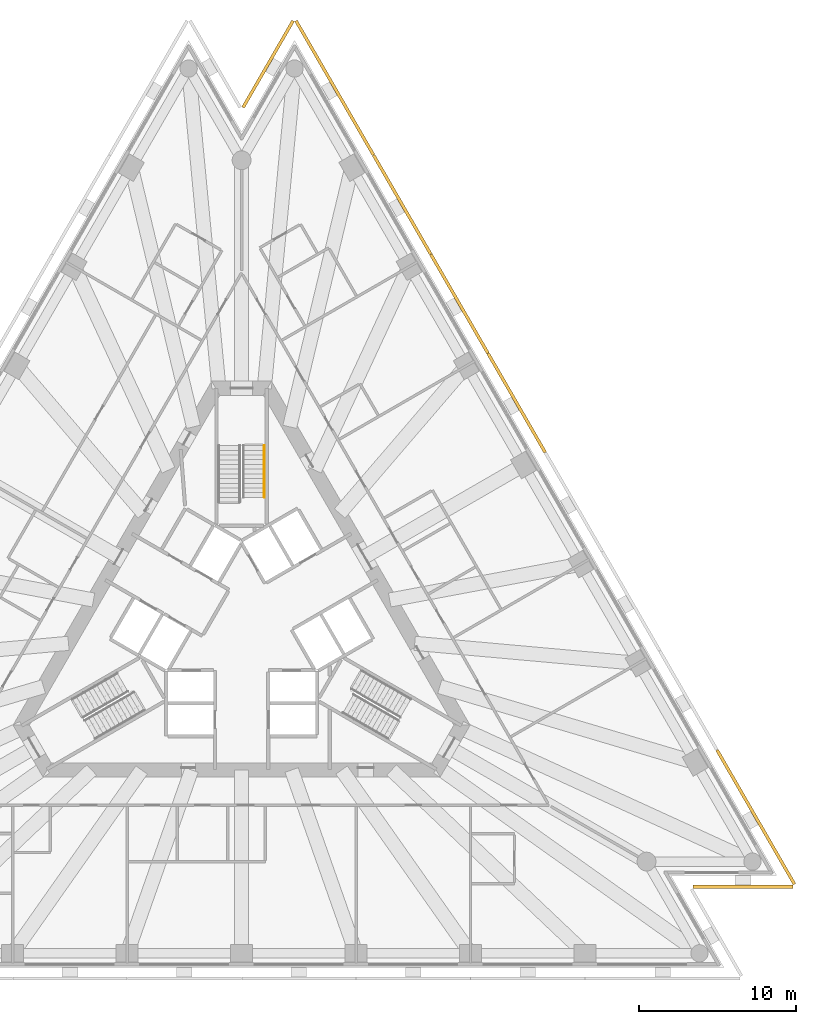
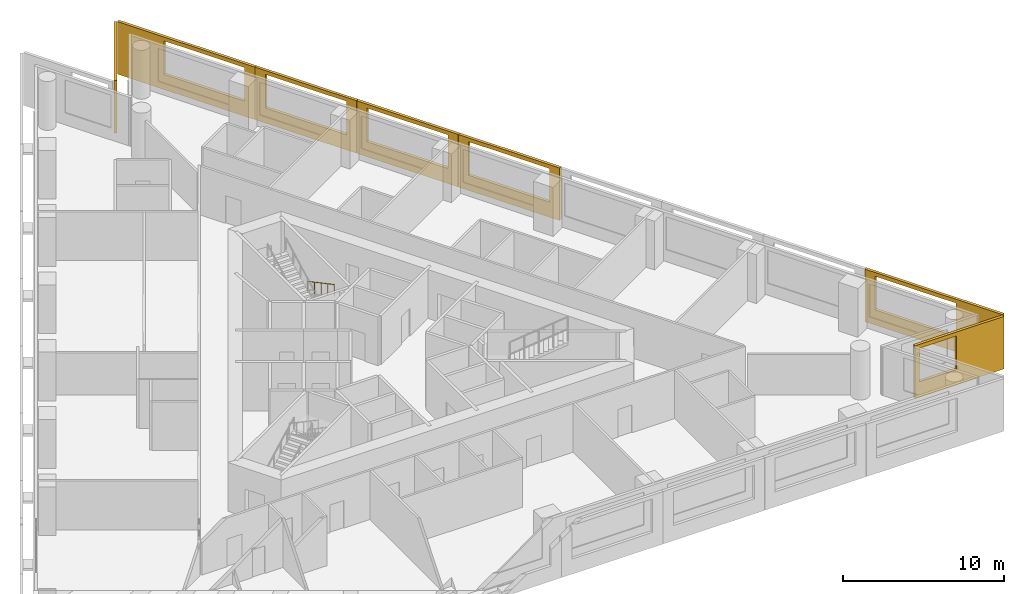
# One storey, part 11 of 11: 7 shading devices, 1 railing, 1 element without a shape of its own.
"""IFC4 building model written with IfcOpenShell, lengths in metres."""

from ifc_helpers import new_model, si_unit, direction, frame, origin, origin_2d, place, context, subcontext, project, spatial, polyline, circle, outline, extrude, material, layer, layer_set, type_object, element, aggregate, save


model = new_model("IFC4")

# Units and contexts
model_context = context("Model", 3, precision=1e-05, world=origin(), true_north=direction((0.0, 1.0)))
body_context = subcontext(model_context, "Body", "Model", "MODEL_VIEW")
ifc_project = project(units=[si_unit("LENGTHUNIT", "METRE"), si_unit("AREAUNIT", "SQUARE_METRE"), si_unit("VOLUMEUNIT", "CUBIC_METRE"), si_unit("PLANEANGLEUNIT", "RADIAN"), si_unit("MASSUNIT", "GRAM", prefix="KILO")], contexts=[model_context])

# Site, building, storey
site_placement = place(None, origin())
site = spatial("IfcSite", under=ifc_project, at=site_placement, CompositionType="ELEMENT")
building_placement = place(site_placement, origin())
building = spatial("IfcBuilding", under=site, at=building_placement, Name="Triada Interchange Tower", CompositionType="ELEMENT")
storey_placement = place(building_placement, frame((0.0, 0.0, 71.300048828125)))
storey = spatial("IfcBuildingStorey", under=building, at=storey_placement, Name="L15", CompositionType="ELEMENT", Elevation=71.300048828125)

# Shading devices
ifc_material_1 = material(Name="Concrete C50/60 precast", Category="concrete")
ifc_layer_1 = layer(ifc_material_1, 0.02001953125, Name="Exposed aggregate face")
ifc_layer_2 = layer(ifc_material_1, 0.179931640625, Name="Precast concrete screen")
ifc_layer_set = layer_set([ifc_layer_1, ifc_layer_2], Name="Outer skin screen panel 3980")
shading_device_type = type_object("IfcShadingDeviceType", Name="Outer skin screen panel 3980", PredefinedType="SHUTTER", material=ifc_layer_set)
shading_device_1_placement = place(storey_placement, frame((28.735107421875, -16.384033203125, -0.2900390625), z_axis=(0.0, 0.0, 1.0), x_axis=(1.0, 0.0, 0.0)))
element("IfcShadingDevice", 1, at=shading_device_1_placement, inside=storey, type_object=shading_device_type, Name="Outer skin screen panel L15 20", PredefinedType="SHUTTER", context=body_context, shape_type="SweptSolid", body=[
    extrude(outline(polyline([(0.0, 0.0), (6.373779296875, 0.0), (6.373779296875, 3.97998046875), (0.0, 3.97998046875), (0.0, 0.0)]), holes=[polyline([(0.300048828125, 1.139892578125), (0.300048828125, 3.68994140625), (2.9580078125, 3.68994140625), (2.9580078125, 1.139892578125), (0.300048828125, 1.139892578125)])]), frame((0.0, 0.0, 0.0), z_axis=(0.0, -1.0, 0.0), x_axis=(1.0, 0.0, 0.0)), (0.0, 0.0, 1.0), 0.199951171875),
])
shading_device_2_placement = place(storey_placement, frame((35.114013671875, -16.375, -0.2900390625), z_axis=(0.0, 0.0, 1.0), x_axis=(-0.500019487037, 0.866014152646, 0.0)))
element("IfcShadingDevice", 2, at=shading_device_2_placement, inside=storey, type_object=shading_device_type, Name="Outer skin screen panel L15 21", PredefinedType="SHUTTER", context=body_context, shape_type="SweptSolid", body=[
    extrude(outline(polyline([(0.0, 0.0), (9.86572265625, 0.0), (9.86572265625, 3.97998046875), (0.0, 3.97998046875), (0.0, 0.0)]), holes=[polyline([(3.332275390625, 1.139892578125), (3.332275390625, 3.68994140625), (9.13232421875, 3.68994140625), (9.13232421875, 1.139892578125), (3.332275390625, 1.139892578125)])]), frame((0.0, 0.0, 0.0), z_axis=(0.0, -1.0, 0.0), x_axis=(1.0, 0.0, 0.0)), (0.0, 0.0, 1.0), 0.199951171875),
])
shading_device_3_placement = place(storey_placement, frame((19.239990234375, 11.1201171875, -0.2900390625), z_axis=(0.0, 0.0, 1.0), x_axis=(-0.500022928159, 0.866012165801, 0.0)))
element("IfcShadingDevice", 3, at=shading_device_3_placement, inside=storey, type_object=shading_device_type, Name="Outer skin screen panel L15 25", PredefinedType="SHUTTER", context=body_context, shape_type="SweptSolid", body=[
    extrude(outline(polyline([(0.0, 0.0), (7.267822265625, 0.0), (7.267822265625, 3.97998046875), (0.0, 3.97998046875), (0.0, 0.0)]), holes=[polyline([(0.73388671875, 1.139892578125), (0.73388671875, 3.68994140625), (6.533935546875, 3.68994140625), (6.533935546875, 1.139892578125), (0.73388671875, 1.139892578125)])]), frame((0.0, 0.0, 0.0), z_axis=(0.0, -1.0, 0.0), x_axis=(1.0, 0.0, 0.0)), (0.0, 0.0, 1.0), 0.199951171875),
])
shading_device_4_placement = place(storey_placement, frame((15.595947265625, 17.430908203125, -0.2900390625), z_axis=(0.0, 0.0, 1.0), x_axis=(-0.499907598821, 0.866078745058, 0.0)))
element("IfcShadingDevice", 4, at=shading_device_4_placement, inside=storey, type_object=shading_device_type, Name="Outer skin screen panel L15 26", PredefinedType="SHUTTER", context=body_context, shape_type="SweptSolid", body=[
    extrude(outline(polyline([(0.0, 0.0), (7.267578125, 0.0), (7.267578125, 3.97998046875), (0.0, 3.97998046875), (0.0, 0.0)]), holes=[polyline([(0.7333984375, 1.139892578125), (0.7333984375, 3.68994140625), (6.533203125, 3.68994140625), (6.533203125, 1.139892578125), (0.7333984375, 1.139892578125)])]), frame((0.0, 0.0, 0.0), z_axis=(0.0, -1.0, 0.0), x_axis=(1.0, 0.0, 0.0)), (0.0, 0.0, 1.0), 0.199951171875),
])
shading_device_5_placement = place(storey_placement, frame((11.952880859375, 23.741943359375, -0.2900390625), z_axis=(0.0, 0.0, 1.0), x_axis=(-0.499997733992, 0.866026712061, 0.0)))
element("IfcShadingDevice", 5, at=shading_device_5_placement, inside=storey, type_object=shading_device_type, Name="Outer skin screen panel L15 27", PredefinedType="SHUTTER", context=body_context, shape_type="SweptSolid", body=[
    extrude(outline(polyline([(0.0, 0.0), (7.267578125, 0.0), (7.267578125, 3.97998046875), (0.0, 3.97998046875), (0.0, 0.0)]), holes=[polyline([(0.73388671875, 1.139892578125), (0.73388671875, 3.68994140625), (6.53369140625, 3.68994140625), (6.53369140625, 1.139892578125), (0.73388671875, 1.139892578125)])]), frame((0.0, 0.0, 0.0), z_axis=(0.0, -1.0, 0.0), x_axis=(1.0, 0.0, 0.0)), (0.0, 0.0, 1.0), 0.199951171875),
])
shading_device_6_placement = place(storey_placement, frame((8.30908203125, 30.052978515625, -0.2900390625), z_axis=(0.0, 0.0, 1.0), x_axis=(-0.500019487037, 0.866014152646, 0.0)))
element("IfcShadingDevice", 6, at=shading_device_6_placement, inside=storey, type_object=shading_device_type, Name="Outer skin screen panel L15 28", PredefinedType="SHUTTER", context=body_context, shape_type="SweptSolid", body=[
    extrude(outline(polyline([(0.0, 0.0), (9.86572265625, 0.0), (9.86572265625, 3.97998046875), (0.0, 3.97998046875), (0.0, 0.0)]), holes=[polyline([(0.734130859375, 1.139892578125), (0.734130859375, 3.68994140625), (6.5341796875, 3.68994140625), (6.5341796875, 1.139892578125), (0.734130859375, 1.139892578125)])]), frame((0.0, 0.0, 0.0), z_axis=(0.0, -1.0, 0.0), x_axis=(1.0, 0.0, 0.0)), (0.0, 0.0, 1.0), 0.199951171875),
])
shading_device_7_placement = place(storey_placement, frame((3.365966796875, 38.596923828125, -0.2900390625), z_axis=(0.0, 0.0, 1.0), x_axis=(-0.500118066197, -0.865957227502, 0.0)))
element("IfcShadingDevice", 7, at=shading_device_7_placement, inside=storey, type_object=shading_device_type, Name="Outer skin screen panel L15 29", PredefinedType="SHUTTER", context=body_context, shape_type="SweptSolid", body=[
    extrude(outline(polyline([(0.0, 0.0), (6.37451171875, 0.0), (6.37451171875, 3.97998046875), (0.0, 3.97998046875), (0.0, 0.0)]), holes=[polyline([(3.175537109375, 1.139892578125), (3.175537109375, 3.68994140625), (6.074951171875, 3.68994140625), (6.074951171875, 1.139892578125), (3.175537109375, 1.139892578125)])]), frame((0.0, 0.0, 0.0), z_axis=(0.0, -1.0, 0.0), x_axis=(1.0, 0.0, 0.0)), (0.0, 0.0, 1.0), 0.199951171875),
])

# Stair, railing
ifc_material_2 = material(Name="Concrete C35/45", Category="concrete")
stair_type = type_object("IfcStairType", Name="HALF TURN STAIR 1400", PredefinedType="HALF_TURN_STAIR", material=ifc_material_2)
stair_placement = place(storey_placement, origin())
stair = element("IfcStair", 8, at=stair_placement, inside=storey, type_object=stair_type, Name="Exit stair S15-1", PredefinedType="HALF_TURN_STAIR")
ifc_material_3 = material(Name="Stainless steel 1.4301", Category="steel")
railing_type = type_object("IfcRailingType", Name="STAIR HANDRAIL 900", PredefinedType="HANDRAIL", material=ifc_material_3)
railing_placement = place(storey_placement, frame((1.449951171875, 11.60009765625, 0.159912109375)))
railing = element("IfcRailing", 9, at=railing_placement, type_object=railing_type, Name="Handrail S15-1 1W", PredefinedType="HANDRAIL", context=body_context, shape_type="SweptSolid", body=[
    extrude(circle(Radius=0.02392578125, at=origin_2d()), frame((0.0, 0.0, 0.8759765625), z_axis=(0.0, -0.882354748157, 0.47058484719), x_axis=(1.0, 0.0, 0.0)), (0.0, 0.0, 1.0), 3.739990234375),
    extrude(circle(Radius=0.02099609375, at=origin_2d()), origin(), (0.0, 0.0, 1.0), 0.851806640625),
    extrude(circle(Radius=0.02099609375, at=origin_2d()), frame((0.0, -0.824951171875, 0.43994140625)), (0.0, 0.0, 1.0), 0.851806640625),
    extrude(circle(Radius=0.02099609375, at=origin_2d()), frame((0.0, -1.64990234375, 0.8798828125)), (0.0, 0.0, 1.0), 0.851806640625),
    extrude(circle(Radius=0.02099609375, at=origin_2d()), frame((0.0, -2.47509765625, 1.320068359375)), (0.0, 0.0, 1.0), 0.851806640625),
    extrude(circle(Radius=0.02099609375, at=origin_2d()), frame((0.0, -3.300048828125, 1.760009765625)), (0.0, 0.0, 1.0), 0.851806640625),
])
aggregate(stair, [railing])

save(model, "model.ifc")
